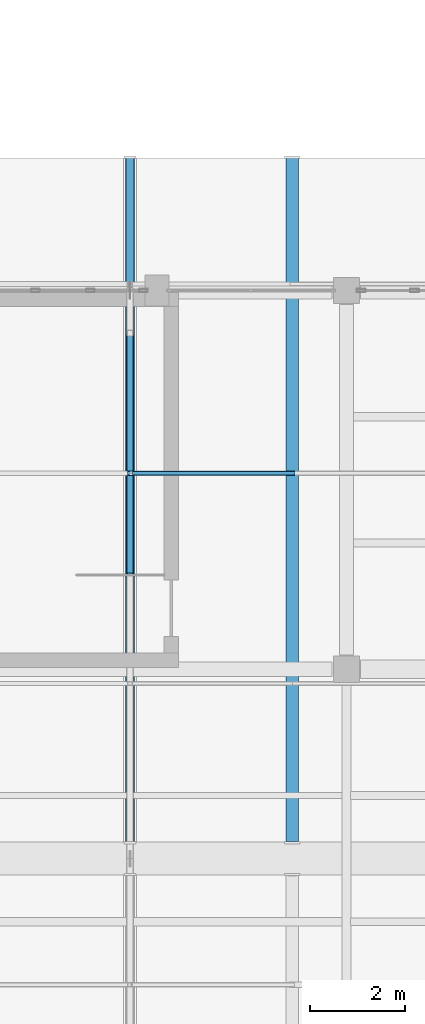
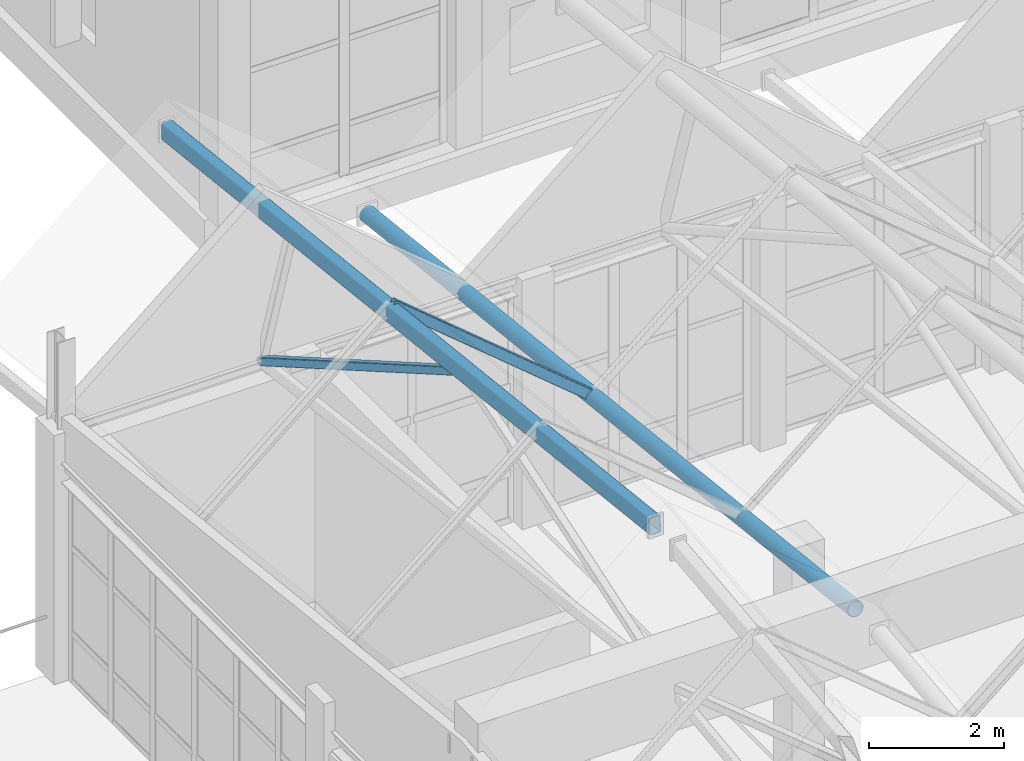
# One storey, part 59 of 183: 2 beams, 2 members.
"""IFC4 building model written with IfcOpenShell, lengths in metres."""

from ifc_helpers import new_model, si_unit, direction, frame, origin, origin_2d, place, context, subcontext, project, spatial, hollow_rectangle, hollow_circle, extrude, material, material_profile, profile_set, type_object, element, save


model = new_model("IFC4")

# Units and contexts
model_context = context("Model", 3, precision=1e-05, world=origin(), true_north=direction((0.0, 1.0)))
body_context = subcontext(model_context, "Body", "Model", "MODEL_VIEW")
ifc_project = project(units=[si_unit("LENGTHUNIT", "METRE"), si_unit("AREAUNIT", "SQUARE_METRE"), si_unit("VOLUMEUNIT", "CUBIC_METRE"), si_unit("PLANEANGLEUNIT", "RADIAN"), si_unit("MASSUNIT", "GRAM", prefix="KILO")], contexts=[model_context])

# Site, building, storey
site_placement = place(None, origin())
site = spatial("IfcSite", under=ifc_project, at=site_placement, CompositionType="ELEMENT")
building_placement = place(site_placement, origin())
building = spatial("IfcBuilding", under=site, at=building_placement, Name="Luwemba Playhouse", CompositionType="ELEMENT")
storey_placement = place(building_placement, frame((0.0, 0.0, 4.800048828125)))
storey = spatial("IfcBuildingStorey", under=building, at=storey_placement, Name="L01", CompositionType="ELEMENT", Elevation=4.800048828125)

# Beams
ifc_material = material(Name="Steel S355", Category="steel")
ifc_material_profile_1 = material_profile(ifc_material, hollow_rectangle(XDim=0.199951171875, YDim=0.300048828125, WallThickness=0.012451171875, InnerFilletRadius=0.018798828125, OuterFilletRadius=0.03125, at=origin_2d()))
ifc_profile_set_1 = profile_set([ifc_material_profile_1], Name="Steel S355")
beam_type_1 = type_object("IfcBeamType", Name="BM-RTG2", PredefinedType="USERDEFINED", material=ifc_profile_set_1)
beam_1_placement = place(storey_placement, frame((127.4287109375, 15.35009765625, 8.489013671875), z_axis=(0.0, 0.993786292845, -0.111305005073), x_axis=(-1.0, 0.0, 0.0)))
element("IfcBeam", 1, at=beam_1_placement, inside=storey, type_object=beam_type_1, Name="ROOF TRUSS ridge girder 0315", ObjectType="ROOF TRUSS", PredefinedType="USERDEFINED", context=body_context, shape_type="SweptSolid", body=[
    extrude(hollow_rectangle(XDim=0.199951171875, YDim=0.300048828125, WallThickness=0.012451171875, InnerFilletRadius=0.018798828125, OuterFilletRadius=0.03125, at=origin_2d()), origin(), (0.0, 0.0, 1.0), 14.540283203125),
])
ifc_material_profile_2 = material_profile(ifc_material, hollow_circle(Radius=0.136474609375, WallThickness=0.012451171875, at=origin_2d()))
ifc_profile_set_2 = profile_set([ifc_material_profile_2], Name="Steel S355")
beam_type_2 = type_object("IfcBeamType", Name="BM-RTG3", PredefinedType="USERDEFINED", material=ifc_profile_set_2)
beam_2_placement = place(storey_placement, frame((130.857177734375, 15.35009765625, 5.773193359375), z_axis=(0.0, 0.993786292845, -0.111305005073), x_axis=(-1.0, 0.0, 0.0)))
element("IfcBeam", 2, at=beam_2_placement, inside=storey, type_object=beam_type_2, Name="ROOF TRUSS valley girder 0317", ObjectType="ROOF TRUSS", PredefinedType="USERDEFINED", context=body_context, shape_type="SweptSolid", body=[
    extrude(hollow_circle(Radius=0.136474609375, WallThickness=0.012451171875, at=origin_2d()), origin(), (0.0, 0.0, 1.0), 14.540283203125),
])

# Members
ifc_material_profile_3 = material_profile(ifc_material, hollow_rectangle(XDim=0.139892578125, YDim=0.139892578125, WallThickness=0.008056640625, InnerFilletRadius=0.011962890625, OuterFilletRadius=0.02001953125, at=origin_2d()))
ifc_profile_set_3 = profile_set([ifc_material_profile_3], Name="Steel S355")
member_type_1 = type_object("IfcMemberType", Name="MEM-MB07", PredefinedType="BRACE", material=ifc_profile_set_3)
member_1_placement = place(storey_placement, frame((127.4287109375, 27.0, 4.39990234375), z_axis=(0.0, -0.866512940122, 0.499154609917), x_axis=(1.0, 0.0, 0.0)))
element("IfcMember", 3, at=member_1_placement, inside=storey, type_object=member_type_1, Name="ROOF TRUSS web diagonal 0270", PredefinedType="BRACE", context=body_context, shape_type="SweptSolid", body=[
    extrude(hollow_rectangle(XDim=0.139892578125, YDim=0.139892578125, WallThickness=0.008056640625, InnerFilletRadius=0.011962890625, OuterFilletRadius=0.02001953125, at=origin_2d()), origin(), (0.0, 0.0, 1.0), 6.92431640625),
])
ifc_material_profile_4 = material_profile(ifc_material, hollow_rectangle(XDim=0.10009765625, YDim=0.179931640625, WallThickness=0.008056640625, InnerFilletRadius=0.011962890625, OuterFilletRadius=0.02001953125, at=origin_2d()))
ifc_profile_set_4 = profile_set([ifc_material_profile_4], Name="Steel S355")
member_type_2 = type_object("IfcMemberType", Name="MEM-MP04", PredefinedType="PURLIN", material=ifc_profile_set_4)
member_2_placement = place(storey_placement, frame((127.4287109375, 23.139892578125, 7.766357421875), z_axis=(0.768369259913, 0.0, -0.640006781543), x_axis=(0.0, 1.0, 0.0)))
element("IfcMember", 4, at=member_2_placement, inside=storey, type_object=member_type_2, Name="Pleated roof purlin 0539", PredefinedType="PURLIN", context=body_context, shape_type="SweptSolid", body=[
    extrude(hollow_rectangle(XDim=0.10009765625, YDim=0.179931640625, WallThickness=0.008056640625, InnerFilletRadius=0.011962890625, OuterFilletRadius=0.02001953125, at=origin_2d()), origin(), (0.0, 0.0, 1.0), 4.4619140625),
])

save(model, "model.ifc")
